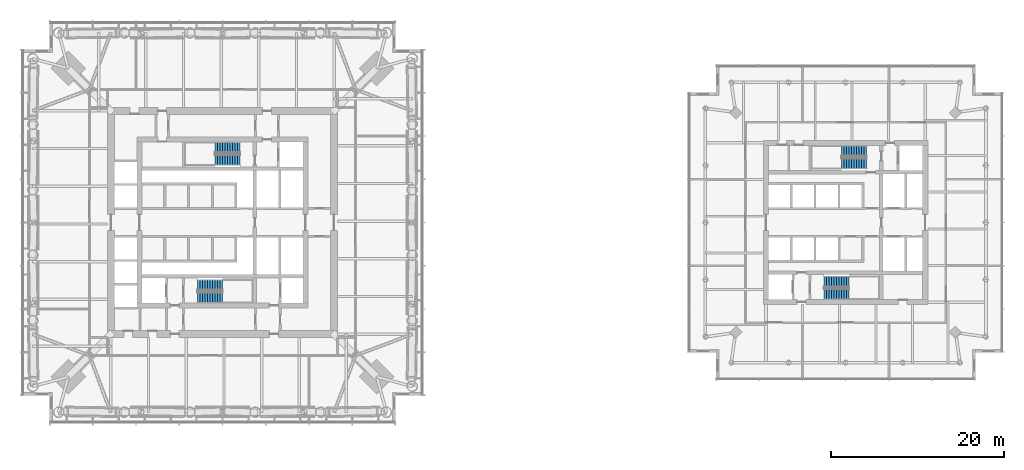
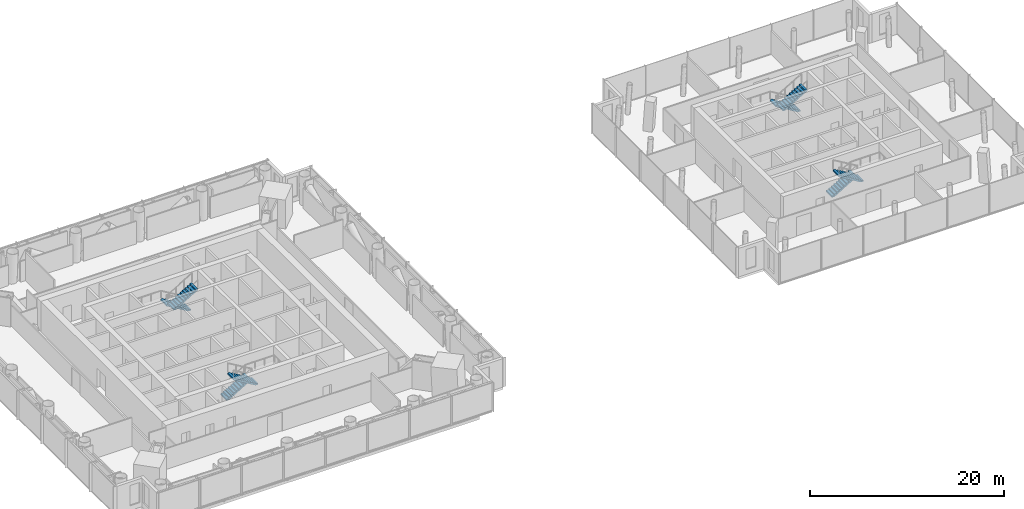
# One storey, part 16 of 18: 8 stair flights, 4 elements without a shape of their own.
"""IFC4 building model written with IfcOpenShell, lengths in metres."""

from ifc_helpers import new_model, si_unit, direction, frame, origin, place, context, subcontext, project, spatial, polyline, outline, extrude, material, type_object, element, aggregate, save


model = new_model("IFC4")

# Units and contexts
model_context = context("Model", 3, precision=1e-05, world=origin(), true_north=direction((0.0, 1.0)))
body_context = subcontext(model_context, "Body", "Model", "MODEL_VIEW")
ifc_project = project(units=[si_unit("LENGTHUNIT", "METRE"), si_unit("AREAUNIT", "SQUARE_METRE"), si_unit("VOLUMEUNIT", "CUBIC_METRE"), si_unit("PLANEANGLEUNIT", "RADIAN"), si_unit("MASSUNIT", "GRAM", prefix="KILO")], contexts=[model_context])

# Site, building, storey
site_placement = place(None, origin())
site = spatial("IfcSite", under=ifc_project, at=site_placement, CompositionType="ELEMENT")
building_placement = place(site_placement, origin())
building = spatial("IfcBuilding", under=site, at=building_placement, Name="Ostroluk Exchange", CompositionType="ELEMENT")
storey_placement = place(building_placement, frame((0.0, 0.0, 85.60009765625)))
storey = spatial("IfcBuildingStorey", under=building, at=storey_placement, Name="L21", CompositionType="ELEMENT", Elevation=85.60009765625)

# Stair, stair flights
ifc_material_1 = material(Name="Concrete C30/37", Category="concrete")
stair_type = type_object("IfcStairType", Name="Exit stair half turn 3800", PredefinedType="HALF_TURN_STAIR", material=ifc_material_1)
stair_1_placement = place(storey_placement, origin())
stair_1 = element("IfcStair", 1, at=stair_1_placement, inside=storey, type_object=stair_type, Name="Stair T1-S1 L21", PredefinedType="HALF_TURN_STAIR")
ifc_material_2 = material(Name="Concrete C30/37", Category="concrete")
stair_flight_type = type_object("IfcStairFlightType", Name="Stair flight 11 risers 172.7 x 290", PredefinedType="STRAIGHT", material=ifc_material_2)
stair_flight_1_placement = place(storey_placement, frame((42.10009765625, 38.77490234375, 0.0), z_axis=(0.0, 0.0, 1.0), x_axis=(1.0, 0.0, 0.0)))
stair_flight_1 = element("IfcStairFlight", 2, at=stair_flight_1_placement, type_object=stair_flight_type, Name="T1-S1 flight 1", NumberOfRisers=11, NumberOfTreads=10, PredefinedType="STRAIGHT", RiserHeight=0.172727273, TreadLength=0.29, context=body_context, shape_type="SweptSolid", body=[
    extrude(outline(polyline([(0.0, 0.0), (0.0, 0.172607421875), (0.2900390625, 0.172607421875), (0.2900390625, 0.345458984375), (0.580078125, 0.345458984375), (0.580078125, 0.51806640625), (0.8701171875, 0.51806640625), (0.8701171875, 0.69091796875), (1.159912109375, 0.69091796875), (1.159912109375, 0.863525390625), (1.449951171875, 0.863525390625), (1.449951171875, 1.036376953125), (1.739990234375, 1.036376953125), (1.739990234375, 1.208984375), (2.030029296875, 1.208984375), (2.030029296875, 1.3818359375), (2.320068359375, 1.3818359375), (2.320068359375, 1.554443359375), (2.610107421875, 1.554443359375), (2.610107421875, 1.727294921875), (2.89990234375, 1.727294921875), (2.89990234375, 1.89990234375), (2.89990234375, 1.552734375), (0.29296875, 0.0), (0.0, 0.0)])), frame((0.0, 0.625, 0.0), z_axis=(0.0, -1.0, 0.0), x_axis=(1.0, 0.0, 0.0)), (0.0, 0.0, 1.0), 1.25),
])
stair_flight_2_placement = place(storey_placement, frame((45.0, 37.324951171875, 1.89990234375), z_axis=(0.0, 0.0, 1.0), x_axis=(-1.0, 0.0, 0.0)))
stair_flight_2 = element("IfcStairFlight", 3, at=stair_flight_2_placement, type_object=stair_flight_type, Name="T1-S1 flight 2", NumberOfRisers=11, NumberOfTreads=10, PredefinedType="STRAIGHT", RiserHeight=0.172727273, TreadLength=0.29, context=body_context, shape_type="SweptSolid", body=[
    extrude(outline(polyline([(0.0, 0.0), (0.0, 0.172607421875), (0.2900390625, 0.172607421875), (0.2900390625, 0.345458984375), (0.580078125, 0.345458984375), (0.580078125, 0.51806640625), (0.8701171875, 0.51806640625), (0.8701171875, 0.69091796875), (1.159912109375, 0.69091796875), (1.159912109375, 0.863525390625), (1.449951171875, 0.863525390625), (1.449951171875, 1.036376953125), (1.739990234375, 1.036376953125), (1.739990234375, 1.208984375), (2.030029296875, 1.208984375), (2.030029296875, 1.3818359375), (2.320068359375, 1.3818359375), (2.320068359375, 1.554443359375), (2.610107421875, 1.554443359375), (2.610107421875, 1.727294921875), (2.89990234375, 1.727294921875), (2.89990234375, 1.89990234375), (2.89990234375, 1.552734375), (0.29296875, 0.0), (0.0, 0.0)])), frame((0.0, 0.625, 0.0), z_axis=(0.0, -1.0, 0.0), x_axis=(1.0, 0.0, 0.0)), (0.0, 0.0, 1.0), 1.25),
])
aggregate(stair_1, [stair_flight_1, stair_flight_2])

stair_2_placement = place(storey_placement, origin())
stair_2 = element("IfcStair", 4, at=stair_2_placement, inside=storey, type_object=stair_type, Name="Stair T1-S2 L21", PredefinedType="HALF_TURN_STAIR")
stair_flight_3_placement = place(storey_placement, frame((47.030029296875, 54.675048828125, 0.0), z_axis=(0.0, 0.0, 1.0), x_axis=(-1.0, 0.0, 0.0)))
stair_flight_3 = element("IfcStairFlight", 5, at=stair_flight_3_placement, type_object=stair_flight_type, Name="T1-S2 flight 1", NumberOfRisers=11, NumberOfTreads=10, PredefinedType="STRAIGHT", RiserHeight=0.172727273, TreadLength=0.29, context=body_context, shape_type="SweptSolid", body=[
    extrude(outline(polyline([(0.0, 0.0), (0.0, 0.172607421875), (0.2900390625, 0.172607421875), (0.2900390625, 0.345458984375), (0.580078125, 0.345458984375), (0.580078125, 0.51806640625), (0.8701171875, 0.51806640625), (0.8701171875, 0.69091796875), (1.159912109375, 0.69091796875), (1.159912109375, 0.863525390625), (1.449951171875, 0.863525390625), (1.449951171875, 1.036376953125), (1.739990234375, 1.036376953125), (1.739990234375, 1.208984375), (2.030029296875, 1.208984375), (2.030029296875, 1.3818359375), (2.320068359375, 1.3818359375), (2.320068359375, 1.554443359375), (2.610107421875, 1.554443359375), (2.610107421875, 1.727294921875), (2.89990234375, 1.727294921875), (2.89990234375, 1.89990234375), (2.89990234375, 1.552734375), (0.29296875, 0.0), (0.0, 0.0)])), frame((0.0, 0.625, 0.0), z_axis=(0.0, -1.0, 0.0), x_axis=(1.0, 0.0, 0.0)), (0.0, 0.0, 1.0), 1.25),
])
stair_flight_4_placement = place(storey_placement, frame((44.1298828125, 53.22509765625, 1.89990234375), z_axis=(0.0, 0.0, 1.0), x_axis=(1.0, 0.0, 0.0)))
stair_flight_4 = element("IfcStairFlight", 6, at=stair_flight_4_placement, type_object=stair_flight_type, Name="T1-S2 flight 2", NumberOfRisers=11, NumberOfTreads=10, PredefinedType="STRAIGHT", RiserHeight=0.172727273, TreadLength=0.29, context=body_context, shape_type="SweptSolid", body=[
    extrude(outline(polyline([(0.0, 0.0), (0.0, 0.172607421875), (0.2900390625, 0.172607421875), (0.2900390625, 0.345458984375), (0.580078125, 0.345458984375), (0.580078125, 0.51806640625), (0.8701171875, 0.51806640625), (0.8701171875, 0.69091796875), (1.159912109375, 0.69091796875), (1.159912109375, 0.863525390625), (1.449951171875, 0.863525390625), (1.449951171875, 1.036376953125), (1.739990234375, 1.036376953125), (1.739990234375, 1.208984375), (2.030029296875, 1.208984375), (2.030029296875, 1.3818359375), (2.320068359375, 1.3818359375), (2.320068359375, 1.554443359375), (2.610107421875, 1.554443359375), (2.610107421875, 1.727294921875), (2.89990234375, 1.727294921875), (2.89990234375, 1.89990234375), (2.89990234375, 1.552734375), (0.29296875, 0.0), (0.0, 0.0)])), frame((0.0, 0.625, 0.0), z_axis=(0.0, -1.0, 0.0), x_axis=(1.0, 0.0, 0.0)), (0.0, 0.0, 1.0), 1.25),
])
aggregate(stair_2, [stair_flight_3, stair_flight_4])

stair_3_placement = place(storey_placement, origin())
stair_3 = element("IfcStair", 7, at=stair_3_placement, inside=storey, type_object=stair_type, Name="Stair T2-S1 L21", PredefinedType="HALF_TURN_STAIR")
stair_flight_5_placement = place(storey_placement, frame((114.5, 39.175048828125, 0.0), z_axis=(0.0, 0.0, 1.0), x_axis=(1.0, 0.0, 0.0)))
stair_flight_5 = element("IfcStairFlight", 8, at=stair_flight_5_placement, type_object=stair_flight_type, Name="T2-S1 flight 1", NumberOfRisers=11, NumberOfTreads=10, PredefinedType="STRAIGHT", RiserHeight=0.172727273, TreadLength=0.29, context=body_context, shape_type="SweptSolid", body=[
    extrude(outline(polyline([(0.0, 0.0), (0.0, 0.172607421875), (0.2900390625, 0.172607421875), (0.2900390625, 0.345458984375), (0.580078125, 0.345458984375), (0.580078125, 0.51806640625), (0.8701171875, 0.51806640625), (0.8701171875, 0.69091796875), (1.159912109375, 0.69091796875), (1.159912109375, 0.863525390625), (1.449951171875, 0.863525390625), (1.449951171875, 1.036376953125), (1.739990234375, 1.036376953125), (1.739990234375, 1.208984375), (2.030029296875, 1.208984375), (2.030029296875, 1.3818359375), (2.320068359375, 1.3818359375), (2.320068359375, 1.554443359375), (2.610107421875, 1.554443359375), (2.610107421875, 1.727294921875), (2.89990234375, 1.727294921875), (2.89990234375, 1.89990234375), (2.89990234375, 1.552734375), (0.29296875, 0.0), (0.0, 0.0)])), frame((0.0, 0.625, 0.0), z_axis=(0.0, -1.0, 0.0), x_axis=(1.0, 0.0, 0.0)), (0.0, 0.0, 1.0), 1.25),
])
stair_flight_6_placement = place(storey_placement, frame((117.39990234375, 37.72509765625, 1.89990234375), z_axis=(0.0, 0.0, 1.0), x_axis=(-1.0, 0.0, 0.0)))
stair_flight_6 = element("IfcStairFlight", 9, at=stair_flight_6_placement, type_object=stair_flight_type, Name="T2-S1 flight 2", NumberOfRisers=11, NumberOfTreads=10, PredefinedType="STRAIGHT", RiserHeight=0.172727273, TreadLength=0.29, context=body_context, shape_type="SweptSolid", body=[
    extrude(outline(polyline([(0.0, 0.0), (0.0, 0.172607421875), (0.2900390625, 0.172607421875), (0.2900390625, 0.345458984375), (0.580078125, 0.345458984375), (0.580078125, 0.51806640625), (0.8701171875, 0.51806640625), (0.8701171875, 0.69091796875), (1.159912109375, 0.69091796875), (1.159912109375, 0.863525390625), (1.449951171875, 0.863525390625), (1.449951171875, 1.036376953125), (1.739990234375, 1.036376953125), (1.739990234375, 1.208984375), (2.030029296875, 1.208984375), (2.030029296875, 1.3818359375), (2.320068359375, 1.3818359375), (2.320068359375, 1.554443359375), (2.610107421875, 1.554443359375), (2.610107421875, 1.727294921875), (2.89990234375, 1.727294921875), (2.89990234375, 1.89990234375), (2.89990234375, 1.552734375), (0.29296875, 0.0), (0.0, 0.0)])), frame((0.0, 0.625, 0.0), z_axis=(0.0, -1.0, 0.0), x_axis=(1.0, 0.0, 0.0)), (0.0, 0.0, 1.0), 1.25),
])
aggregate(stair_3, [stair_flight_5, stair_flight_6])

stair_4_placement = place(storey_placement, origin())
stair_4 = element("IfcStair", 10, at=stair_4_placement, inside=storey, type_object=stair_type, Name="Stair T2-S2 L21", PredefinedType="HALF_TURN_STAIR")
stair_flight_7_placement = place(storey_placement, frame((119.429931640625, 54.27490234375, 0.0), z_axis=(0.0, 0.0, 1.0), x_axis=(-1.0, 0.0, 0.0)))
stair_flight_7 = element("IfcStairFlight", 11, at=stair_flight_7_placement, type_object=stair_flight_type, Name="T2-S2 flight 1", NumberOfRisers=11, NumberOfTreads=10, PredefinedType="STRAIGHT", RiserHeight=0.172727273, TreadLength=0.29, context=body_context, shape_type="SweptSolid", body=[
    extrude(outline(polyline([(0.0, 0.0), (0.0, 0.172607421875), (0.2900390625, 0.172607421875), (0.2900390625, 0.345458984375), (0.580078125, 0.345458984375), (0.580078125, 0.51806640625), (0.8701171875, 0.51806640625), (0.8701171875, 0.69091796875), (1.159912109375, 0.69091796875), (1.159912109375, 0.863525390625), (1.449951171875, 0.863525390625), (1.449951171875, 1.036376953125), (1.739990234375, 1.036376953125), (1.739990234375, 1.208984375), (2.030029296875, 1.208984375), (2.030029296875, 1.3818359375), (2.320068359375, 1.3818359375), (2.320068359375, 1.554443359375), (2.610107421875, 1.554443359375), (2.610107421875, 1.727294921875), (2.89990234375, 1.727294921875), (2.89990234375, 1.89990234375), (2.89990234375, 1.552734375), (0.29296875, 0.0), (0.0, 0.0)])), frame((0.0, 0.625, 0.0), z_axis=(0.0, -1.0, 0.0), x_axis=(1.0, 0.0, 0.0)), (0.0, 0.0, 1.0), 1.25),
])
stair_flight_8_placement = place(storey_placement, frame((116.530029296875, 52.824951171875, 1.89990234375), z_axis=(0.0, 0.0, 1.0), x_axis=(1.0, 0.0, 0.0)))
stair_flight_8 = element("IfcStairFlight", 12, at=stair_flight_8_placement, type_object=stair_flight_type, Name="T2-S2 flight 2", NumberOfRisers=11, NumberOfTreads=10, PredefinedType="STRAIGHT", RiserHeight=0.172727273, TreadLength=0.29, context=body_context, shape_type="SweptSolid", body=[
    extrude(outline(polyline([(0.0, 0.0), (0.0, 0.172607421875), (0.2900390625, 0.172607421875), (0.2900390625, 0.345458984375), (0.580078125, 0.345458984375), (0.580078125, 0.51806640625), (0.8701171875, 0.51806640625), (0.8701171875, 0.69091796875), (1.159912109375, 0.69091796875), (1.159912109375, 0.863525390625), (1.449951171875, 0.863525390625), (1.449951171875, 1.036376953125), (1.739990234375, 1.036376953125), (1.739990234375, 1.208984375), (2.030029296875, 1.208984375), (2.030029296875, 1.3818359375), (2.320068359375, 1.3818359375), (2.320068359375, 1.554443359375), (2.610107421875, 1.554443359375), (2.610107421875, 1.727294921875), (2.89990234375, 1.727294921875), (2.89990234375, 1.89990234375), (2.89990234375, 1.552734375), (0.29296875, 0.0), (0.0, 0.0)])), frame((0.0, 0.625, 0.0), z_axis=(0.0, -1.0, 0.0), x_axis=(1.0, 0.0, 0.0)), (0.0, 0.0, 1.0), 1.25),
])
aggregate(stair_4, [stair_flight_7, stair_flight_8])

save(model, "model.ifc")
